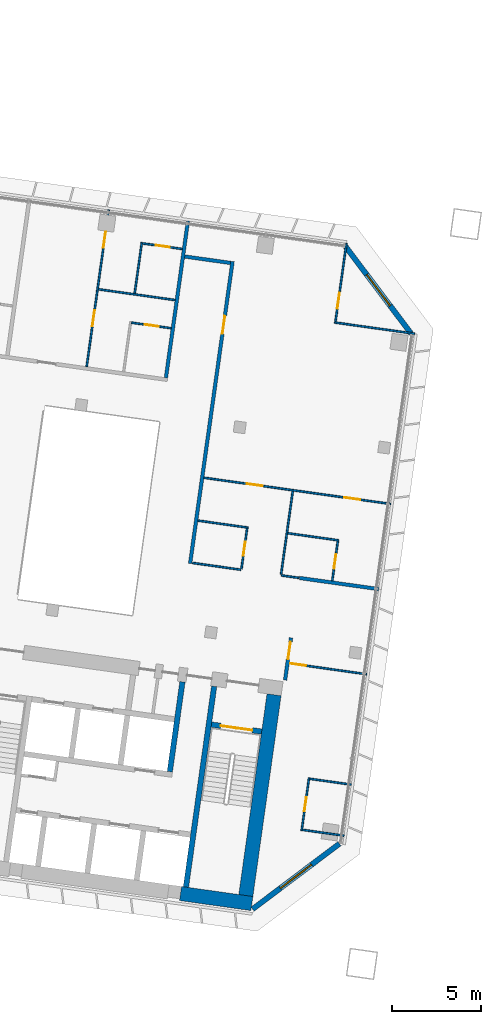
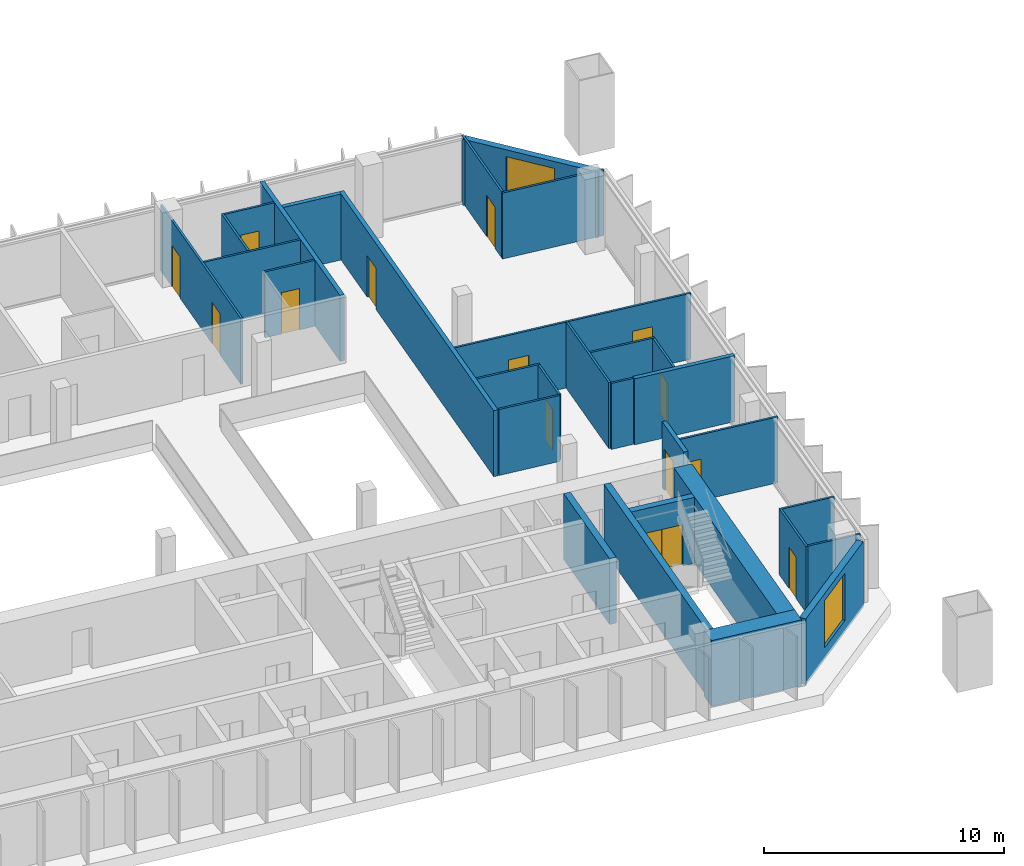
# One storey, part 17 of 25: 31 walls, 14 doors, 2 windows, 16 openings.
"""IFC4 building model written with IfcOpenShell, lengths in metres."""

from ifc_helpers import new_model, si_unit, direction, frame, frame_2d, origin, place, context, subcontext, project, spatial, rectangle, extrude, material, layer, layer_set, type_object, element, fill, save


model = new_model("IFC4")

# Units and contexts
model_context = context("Model", 3, precision=1e-05, world=origin(), true_north=direction((0.0, 1.0)))
body_context = subcontext(model_context, "Body", "Model", "MODEL_VIEW")
ifc_project = project(units=[si_unit("LENGTHUNIT", "METRE"), si_unit("AREAUNIT", "SQUARE_METRE"), si_unit("VOLUMEUNIT", "CUBIC_METRE"), si_unit("PLANEANGLEUNIT", "RADIAN"), si_unit("MASSUNIT", "GRAM", prefix="KILO")], contexts=[model_context])

# Site, building, storey
site_placement = place(None, origin())
site = spatial("IfcSite", under=ifc_project, at=site_placement, CompositionType="ELEMENT")
building_placement = place(site_placement, origin())
building = spatial("IfcBuilding", under=site, at=building_placement, Name="Mirante Cascada Hotel Towers", CompositionType="ELEMENT")
storey_placement = place(building_placement, frame((0.0, 0.0, 102.5)))
storey = spatial("IfcBuildingStorey", under=building, at=storey_placement, Name="L22", CompositionType="ELEMENT", Elevation=102.5)

# Walls
ifc_material_1 = material(Name="Fire-rated plasterboard on metal studs")
ifc_layer_1 = layer(ifc_material_1, 0.2)
ifc_layer_set_1 = layer_set([ifc_layer_1], Name="Compartment wall 200 EI 120")
wall_type_1 = type_object("IfcWallType", Name="Compartment wall 200 EI 120", PredefinedType="PARTITIONING", material=ifc_layer_set_1)
wall_1_placement = place(storey_placement, frame((-34.4562, -1.3737, 0.0), z_axis=(0.0, 0.0, 1.0), x_axis=(0.9902674, -0.1391779, 0.0)))
element("IfcWall", 1, at=wall_1_placement, inside=storey, type_object=wall_type_1, Name="Wall 1-L22-08", PredefinedType="PARTITIONING", context=body_context, shape_type="SweptSolid", body=[
    extrude(rectangle(XDim=4.5, YDim=0.2, at=frame_2d((2.25, 0.0))), origin(), (0.0, 0.0, 1.0), 3.35),
])
wall_2_placement = place(storey_placement, frame((-40.9036, 16.6995, 0.0), z_axis=(0.0, 0.0, 1.0), x_axis=(0.9902647, -0.1391971, 0.0)))
element("IfcWall", 2, at=wall_2_placement, inside=storey, type_object=wall_type_1, Name="Wall 1-L22-28", PredefinedType="PARTITIONING", context=body_context, shape_type="SweptSolid", body=[
    extrude(rectangle(XDim=2.5999, YDim=0.2, at=frame_2d((1.3, 0.0))), origin(), (0.0, 0.0, 1.0), 3.35),
])

# Wall, opening, door
wall_3_placement = place(storey_placement, frame((-34.9294, -4.7406, 0.0), z_axis=(0.0, 0.0, 1.0), x_axis=(-0.1391635, -0.9902694, 0.0)))
wall_3 = element("IfcWall", 3, at=wall_3_placement, inside=storey, type_object=wall_type_1, Name="Wall 1-L22-34", PredefinedType="PARTITIONING", context=body_context, shape_type="SweptSolid", body=[
    extrude(rectangle(XDim=2.4001, YDim=0.2, at=frame_2d((1.2, 0.0))), origin(), (0.0, 0.0, 1.0), 3.35),
])
opening_1_placement = place(wall_3_placement, frame((0.2167, 0.0, 0.0)))
opening_1 = element("IfcOpeningElement", 4, at=opening_1_placement, cuts=wall_3, Name="Opening D1-L22-28", PredefinedType="OPENING", context=body_context, shape_type="SweptSolid", body=[
    extrude(rectangle(XDim=1.0, YDim=2.1, at=frame_2d((0.5, 1.05))), frame((0.0, 0.1, 0.0), z_axis=(0.0, -1.0, 0.0), x_axis=(1.0, 0.0, 0.0)), (0.0, 0.0, 1.0), 0.2),
])
ifc_material_2 = material(Name="Fire-rated timber door leaf", Category="wood")
door_type_1 = type_object("IfcDoorType", Name="Entrance door DG1 1000x2100 EI 60", OperationType="SINGLE_SWING_LEFT", PredefinedType="DOOR", material=ifc_material_2)
door_1_placement = place(opening_1_placement, origin())
door_1 = element("IfcDoor", 5, at=door_1_placement, inside=storey, type_object=door_type_1, Name="Door D1-L22-28", OperationType="SINGLE_SWING_LEFT", OverallHeight=2.1, OverallWidth=1.0, PredefinedType="DOOR", context=body_context, shape_type="SweptSolid", body=[
    extrude(rectangle(XDim=1.0, YDim=2.1, at=frame_2d((0.5, 1.05))), frame((0.0, 0.025, 0.0), z_axis=(0.0, -1.0, 0.0), x_axis=(1.0, 0.0, 0.0)), (0.0, 0.0, 1.0), 0.05),
])
fill(opening_1, door_1)

wall_4_placement = place(storey_placement, frame((-38.216, 16.4227, 0.0), z_axis=(0.0, 0.0, 1.0), x_axis=(-0.139172, -0.9902682, 0.0)))
wall_4 = element("IfcWall", 6, at=wall_4_placement, inside=storey, type_object=wall_type_1, Name="Wall 1-L22-38", PredefinedType="PARTITIONING", context=body_context, shape_type="SweptSolid", body=[
    extrude(rectangle(XDim=17.15, YDim=0.2, at=frame_2d((8.575, 0.0))), origin(), (0.0, 0.0, 1.0), 3.35),
])
opening_2_placement = place(wall_4_placement, frame((3.1, 0.0, 0.0)))
opening_2 = element("IfcOpeningElement", 7, at=opening_2_placement, cuts=wall_4, Name="Opening D1-L22-31", PredefinedType="OPENING", context=body_context, shape_type="SweptSolid", body=[
    extrude(rectangle(XDim=1.0, YDim=2.1, at=frame_2d((0.5, 1.05))), frame((0.0, 0.1, 0.0), z_axis=(0.0, -1.0, 0.0), x_axis=(1.0, 0.0, 0.0)), (0.0, 0.0, 1.0), 0.2),
])
door_2_placement = place(opening_2_placement, origin())
door_2 = element("IfcDoor", 8, at=door_2_placement, inside=storey, type_object=door_type_1, Name="Door D1-L22-31", OperationType="SINGLE_SWING_LEFT", OverallHeight=2.1, OverallWidth=1.0, PredefinedType="DOOR", context=body_context, shape_type="SweptSolid", body=[
    extrude(rectangle(XDim=1.0, YDim=2.1, at=frame_2d((0.5, 1.05))), frame((0.0, 0.025, 0.0), z_axis=(0.0, -1.0, 0.0), x_axis=(1.0, 0.0, 0.0)), (0.0, 0.0, 1.0), 0.05),
])
fill(opening_2, door_2)

# Walls
wall_5_placement = place(storey_placement, frame((-41.963, 9.8805, 0.0), z_axis=(0.0, 0.0, 1.0), x_axis=(0.1391794, 0.9902672, 0.0)))
element("IfcWall", 9, at=wall_5_placement, inside=storey, type_object=wall_type_1, Name="Wall 1-L22-39", PredefinedType="PARTITIONING", context=body_context, shape_type="SweptSolid", body=[
    extrude(rectangle(XDim=8.9, YDim=0.2, at=frame_2d((4.45, 0.0))), origin(), (0.0, 0.0, 1.0), 3.35),
])
ifc_material_3 = material(Name="Plasterboard on metal studs")
ifc_layer_2 = layer(ifc_material_3, 0.1)
ifc_layer_set_2 = layer_set([ifc_layer_2], Name="Partition 100")
wall_type_2 = type_object("IfcWallType", Name="Partition 100", PredefinedType="PARTITIONING", material=ifc_layer_set_2)
for number, where, z_axis, x_axis, name in (
    (10, (-34.2756, -15.5367, 0.0), (0.0, 0.0, 1.0), (0.9902661, -0.139187, 0.0), "Wall 1-L22-02"),
    (11, (-31.5448, -12.992, 0.0), (0.0, 0.0, 1.0), (-0.9902661, 0.139187, 0.0), "Wall 1-L22-03"),
):
    element("IfcWall", number, at=place(storey_placement, frame(where, z_axis=z_axis, x_axis=x_axis)), inside=storey, type_object=wall_type_2, Name=name, PredefinedType="PARTITIONING", context=body_context, shape_type="SweptSolid", body=[
        extrude(rectangle(XDim=2.3501, YDim=0.1, at=frame_2d((1.175, 0.0))), origin(), (0.0, 0.0, 1.0), 3.35),
    ])

# Wall, opening, door
wall_6_placement = place(storey_placement, frame((-35.0298, -6.1739, 0.0), z_axis=(0.0, 0.0, 1.0), x_axis=(0.9902665, -0.1391841, 0.0)))
wall_6 = element("IfcWall", 12, at=wall_6_placement, inside=storey, type_object=wall_type_2, Name="Wall 1-L22-04", PredefinedType="PARTITIONING", context=body_context, shape_type="SweptSolid", body=[
    extrude(rectangle(XDim=4.3999, YDim=0.1, at=frame_2d((2.2, 0.0))), origin(), (0.0, 0.0, 1.0), 3.35),
])
opening_3_placement = place(wall_6_placement, frame((0.05, 0.0, 0.0)))
opening_3 = element("IfcOpeningElement", 13, at=opening_3_placement, cuts=wall_6, Name="Opening D1-L22-02", PredefinedType="OPENING", context=body_context, shape_type="SweptSolid", body=[
    extrude(rectangle(XDim=0.9, YDim=2.1, at=frame_2d((0.45, 1.05))), frame((0.0, 0.05, 0.0), z_axis=(0.0, -1.0, 0.0), x_axis=(1.0, 0.0, 0.0)), (0.0, 0.0, 1.0), 0.1),
])
ifc_material_4 = material(Name="Timber door leaf", Category="wood")
door_type_2 = type_object("IfcDoorType", Name="Room door DG3 900x2100", OperationType="SINGLE_SWING_LEFT", PredefinedType="DOOR", material=ifc_material_4)
door_3_placement = place(opening_3_placement, frame((0.9, 0.0, 0.0), z_axis=(0.0, 0.0, 1.0), x_axis=(-1.0, 0.0, 0.0)))
door_3 = element("IfcDoor", 14, at=door_3_placement, inside=storey, type_object=door_type_2, Name="Door D1-L22-02", OperationType="SINGLE_SWING_RIGHT", OverallHeight=2.1, OverallWidth=0.9, PredefinedType="DOOR", context=body_context, shape_type="SweptSolid", body=[
    extrude(rectangle(XDim=0.9, YDim=2.1, at=frame_2d((0.45, 1.05))), frame((0.0, 0.025, 0.0), z_axis=(0.0, -1.0, 0.0), x_axis=(1.0, 0.0, 0.0)), (0.0, 0.0, 1.0), 0.05),
])
fill(opening_3, door_3)

# Walls
wall_7_placement = place(storey_placement, frame((-34.4859, -1.3695, 0.0), z_axis=(0.0, 0.0, 1.0), x_axis=(-0.9902801, 0.1390877, 0.0)))
element("IfcWall", 15, at=wall_7_placement, inside=storey, type_object=wall_type_2, Name="Wall 1-L22-09", PredefinedType="PARTITIONING", context=body_context, shape_type="SweptSolid", body=[
    extrude(rectangle(XDim=0.99, YDim=0.1, at=frame_2d((0.495, 0.0))), origin(), (0.0, 0.0, 1.0), 3.35),
])
wall_8_placement = place(storey_placement, frame((-40.4671, -0.5289, 0.0), z_axis=(0.0, 0.0, 1.0), x_axis=(0.9902645, -0.1391984, 0.0)))
element("IfcWall", 16, at=wall_8_placement, inside=storey, type_object=wall_type_2, Name="Wall 1-L22-10", PredefinedType="PARTITIONING", context=body_context, shape_type="SweptSolid", body=[
    extrude(rectangle(XDim=2.74, YDim=0.1, at=frame_2d((1.37, 0.0))), origin(), (0.0, 0.0, 1.0), 3.35),
])
wall_9_placement = place(storey_placement, frame((-35.1125, 1.1421, 0.0), z_axis=(0.0, 0.0, 1.0), x_axis=(0.9902683, -0.1391714, 0.0)))
element("IfcWall", 17, at=wall_9_placement, inside=storey, type_object=wall_type_2, Name="Wall 1-L22-12", PredefinedType="PARTITIONING", context=body_context, shape_type="SweptSolid", body=[
    extrude(rectangle(XDim=2.9, YDim=0.1, at=frame_2d((1.45, 0.0))), origin(), (0.0, 0.0, 1.0), 3.35),
])
wall_10_placement = place(storey_placement, frame((-37.3406, 1.4552, 0.0), z_axis=(0.0, 0.0, 1.0), x_axis=(-0.9902649, 0.1391957, 0.0)))
element("IfcWall", 18, at=wall_10_placement, inside=storey, type_object=wall_type_2, Name="Wall 1-L22-13", PredefinedType="PARTITIONING", context=body_context, shape_type="SweptSolid", body=[
    extrude(rectangle(XDim=2.8499, YDim=0.1, at=frame_2d((1.425, 0.0))), origin(), (0.0, 0.0, 1.0), 3.35),
])

# Wall, openings, doors
wall_11_placement = place(storey_placement, frame((-39.8242, 4.2615, 0.0), z_axis=(0.0, 0.0, 1.0), x_axis=(0.9902686, -0.1391691, 0.0)))
wall_11 = element("IfcWall", 19, at=wall_11_placement, inside=storey, type_object=wall_type_2, Name="Wall 1-L22-16", PredefinedType="PARTITIONING", context=body_context, shape_type="SweptSolid", body=[
    extrude(rectangle(XDim=10.6001, YDim=0.1, at=frame_2d((5.3, 0.0))), origin(), (0.0, 0.0, 1.0), 3.35),
])
opening_4_placement = place(wall_11_placement, frame((7.975, 0.0, 0.0)))
opening_4 = element("IfcOpeningElement", 20, at=opening_4_placement, cuts=wall_11, Name="Opening D1-L22-05", PredefinedType="OPENING", context=body_context, shape_type="SweptSolid", body=[
    extrude(rectangle(XDim=0.9, YDim=2.1, at=frame_2d((0.45, 1.05))), frame((0.0, 0.05, 0.0), z_axis=(0.0, -1.0, 0.0), x_axis=(1.0, 0.0, 0.0)), (0.0, 0.0, 1.0), 0.1),
])
opening_5_placement = place(wall_11_placement, frame((2.425, 0.0, 0.0)))
opening_5 = element("IfcOpeningElement", 21, at=opening_5_placement, cuts=wall_11, Name="Opening D1-L22-06", PredefinedType="OPENING", context=body_context, shape_type="SweptSolid", body=[
    extrude(rectangle(XDim=0.9, YDim=2.1, at=frame_2d((0.45, 1.05))), frame((0.0, 0.05, 0.0), z_axis=(0.0, -1.0, 0.0), x_axis=(1.0, 0.0, 0.0)), (0.0, 0.0, 1.0), 0.1),
])
door_4_placement = place(opening_4_placement, origin())
door_4 = element("IfcDoor", 22, at=door_4_placement, inside=storey, type_object=door_type_2, Name="Door D1-L22-05", OperationType="SINGLE_SWING_LEFT", OverallHeight=2.1, OverallWidth=0.9, PredefinedType="DOOR", context=body_context, shape_type="SweptSolid", body=[
    extrude(rectangle(XDim=0.9, YDim=2.1, at=frame_2d((0.45, 1.05))), frame((0.0, 0.025, 0.0), z_axis=(0.0, -1.0, 0.0), x_axis=(1.0, 0.0, 0.0)), (0.0, 0.0, 1.0), 0.05),
])
fill(opening_4, door_4)
door_5_placement = place(opening_5_placement, origin())
door_5 = element("IfcDoor", 23, at=door_5_placement, inside=storey, type_object=door_type_2, Name="Door D1-L22-06", OperationType="SINGLE_SWING_LEFT", OverallHeight=2.1, OverallWidth=0.9, PredefinedType="DOOR", context=body_context, shape_type="SweptSolid", body=[
    extrude(rectangle(XDim=0.9, YDim=2.1, at=frame_2d((0.45, 1.05))), frame((0.0, 0.025, 0.0), z_axis=(0.0, -1.0, 0.0), x_axis=(1.0, 0.0, 0.0)), (0.0, 0.0, 1.0), 0.05),
])
fill(opening_5, door_5)

# Wall, opening, door
wall_12_placement = place(storey_placement, frame((-41.6723, 12.6672, 0.0), z_axis=(0.0, 0.0, 1.0), x_axis=(-0.9902643, 0.1391997, 0.0)))
wall_12 = element("IfcWall", 24, at=wall_12_placement, inside=storey, type_object=wall_type_2, Name="Wall 1-L22-19", PredefinedType="PARTITIONING", context=body_context, shape_type="SweptSolid", body=[
    extrude(rectangle(XDim=2.25, YDim=0.1, at=frame_2d((1.125, 0.0))), origin(), (0.0, 0.0, 1.0), 3.35),
])
opening_6_placement = place(wall_12_placement, frame((0.7, 0.0, 0.0)))
opening_6 = element("IfcOpeningElement", 25, at=opening_6_placement, cuts=wall_12, Name="Opening D1-L22-16", PredefinedType="OPENING", context=body_context, shape_type="SweptSolid", body=[
    extrude(rectangle(XDim=0.8, YDim=2.1, at=frame_2d((0.4, 1.05))), frame((0.0, 0.05, 0.0), z_axis=(0.0, -1.0, 0.0), x_axis=(1.0, 0.0, 0.0)), (0.0, 0.0, 1.0), 0.1),
])
ifc_material_5 = material(Name="Timber door leaf", Category="wood")
door_type_3 = type_object("IfcDoorType", Name="Bathroom door DG4 800x2100", OperationType="SINGLE_SWING_LEFT", PredefinedType="DOOR", material=ifc_material_5)
door_6_placement = place(opening_6_placement, origin())
door_6 = element("IfcDoor", 26, at=door_6_placement, inside=storey, type_object=door_type_3, Name="Door D1-L22-16", OperationType="SINGLE_SWING_LEFT", OverallHeight=2.1, OverallWidth=0.8, PredefinedType="DOOR", context=body_context, shape_type="SweptSolid", body=[
    extrude(rectangle(XDim=0.8, YDim=2.1, at=frame_2d((0.4, 1.05))), frame((0.0, 0.025, 0.0), z_axis=(0.0, -1.0, 0.0), x_axis=(1.0, 0.0, 0.0)), (0.0, 0.0, 1.0), 0.05),
])
fill(opening_6, door_6)

# Walls
wall_13_placement = place(storey_placement, frame((-27.982, 12.3589, 0.0), z_axis=(0.0, 0.0, 1.0), x_axis=(-0.9902691, 0.1391656, 0.0)))
element("IfcWall", 27, at=wall_13_placement, inside=storey, type_object=wall_type_2, Name="Wall 1-L22-25", PredefinedType="PARTITIONING", context=body_context, shape_type="SweptSolid", body=[
    extrude(rectangle(XDim=4.55, YDim=0.1, at=frame_2d((2.275, 0.0))), origin(), (0.0, 0.0, 1.0), 3.35),
])
wall_14_placement = place(storey_placement, frame((-45.7573, 14.857, 0.0), z_axis=(0.0, 0.0, 1.0), x_axis=(0.9902683, -0.1391714, 0.0)))
element("IfcWall", 28, at=wall_14_placement, inside=storey, type_object=wall_type_2, Name="Wall 1-L22-26", PredefinedType="PARTITIONING", context=body_context, shape_type="SweptSolid", body=[
    extrude(rectangle(XDim=4.35, YDim=0.1, at=frame_2d((2.175, 0.0))), origin(), (0.0, 0.0, 1.0), 3.35),
])

# Wall, opening, door
wall_15_placement = place(storey_placement, frame((-43.2741, 17.4366, 0.0), z_axis=(0.0, 0.0, 1.0), x_axis=(0.9902643, -0.1391997, 0.0)))
wall_15 = element("IfcWall", 29, at=wall_15_placement, inside=storey, type_object=wall_type_2, Name="Wall 1-L22-30", PredefinedType="PARTITIONING", context=body_context, shape_type="SweptSolid", body=[
    extrude(rectangle(XDim=2.25, YDim=0.1, at=frame_2d((1.125, 0.0))), origin(), (0.0, 0.0, 1.0), 3.35),
])
opening_7_placement = place(wall_15_placement, frame((0.75, 0.0, 0.0)))
opening_7 = element("IfcOpeningElement", 30, at=opening_7_placement, cuts=wall_15, Name="Opening D1-L22-24", PredefinedType="OPENING", context=body_context, shape_type="SweptSolid", body=[
    extrude(rectangle(XDim=0.8, YDim=2.1, at=frame_2d((0.4, 1.05))), frame((0.0, 0.05, 0.0), z_axis=(0.0, -1.0, 0.0), x_axis=(1.0, 0.0, 0.0)), (0.0, 0.0, 1.0), 0.1),
])
door_7_placement = place(opening_7_placement, frame((0.8, 0.0, 0.0), z_axis=(0.0, 0.0, 1.0), x_axis=(-1.0, 0.0, 0.0)))
door_7 = element("IfcDoor", 31, at=door_7_placement, inside=storey, type_object=door_type_3, Name="Door D1-L22-24", OperationType="SINGLE_SWING_RIGHT", OverallHeight=2.1, OverallWidth=0.8, PredefinedType="DOOR", context=body_context, shape_type="SweptSolid", body=[
    extrude(rectangle(XDim=0.8, YDim=2.1, at=frame_2d((0.4, 1.05))), frame((0.0, 0.025, 0.0), z_axis=(0.0, -1.0, 0.0), x_axis=(1.0, 0.0, 0.0)), (0.0, 0.0, 1.0), 0.05),
])
fill(opening_7, door_7)

wall_16_placement = place(storey_placement, frame((-33.9145, -12.6084, 0.0), z_axis=(0.0, 0.0, 1.0), x_axis=(-0.1391624, -0.9902696, 0.0)))
wall_16 = element("IfcWall", 32, at=wall_16_placement, inside=storey, type_object=wall_type_2, Name="Wall 1-L22-32", PredefinedType="PARTITIONING", context=body_context, shape_type="SweptSolid", body=[
    extrude(rectangle(XDim=3.0001, YDim=0.1, at=frame_2d((1.5001, 0.0))), origin(), (0.0, 0.0, 1.0), 3.35),
])
opening_8_placement = place(wall_16_placement, frame((1.1, 0.0, 0.0)))
opening_8 = element("IfcOpeningElement", 33, at=opening_8_placement, cuts=wall_16, Name="Opening D1-L22-26", PredefinedType="OPENING", context=body_context, shape_type="SweptSolid", body=[
    extrude(rectangle(XDim=0.8, YDim=2.1, at=frame_2d((0.4, 1.05))), frame((0.0, 0.05, 0.0), z_axis=(0.0, -1.0, 0.0), x_axis=(1.0, 0.0, 0.0)), (0.0, 0.0, 1.0), 0.1),
])
door_8_placement = place(opening_8_placement, frame((0.8, 0.0, 0.0), z_axis=(0.0, 0.0, 1.0), x_axis=(-1.0, 0.0, 0.0)))
door_8 = element("IfcDoor", 34, at=door_8_placement, inside=storey, type_object=door_type_3, Name="Door D1-L22-26", OperationType="SINGLE_SWING_RIGHT", OverallHeight=2.1, OverallWidth=0.8, PredefinedType="DOOR", context=body_context, shape_type="SweptSolid", body=[
    extrude(rectangle(XDim=0.8, YDim=2.1, at=frame_2d((0.4, 1.05))), frame((0.0, 0.025, 0.0), z_axis=(0.0, -1.0, 0.0), x_axis=(1.0, 0.0, 0.0)), (0.0, 0.0, 1.0), 0.05),
])
fill(opening_8, door_8)

wall_17_placement = place(storey_placement, frame((-32.6103, -1.5322, 0.0), z_axis=(0.0, 0.0, 1.0), x_axis=(0.1391561, 0.9902705, 0.0)))
wall_17 = element("IfcWall", 35, at=wall_17_placement, inside=storey, type_object=wall_type_2, Name="Wall 1-L22-33", PredefinedType="PARTITIONING", context=body_context, shape_type="SweptSolid", body=[
    extrude(rectangle(XDim=2.25, YDim=0.1, at=frame_2d((1.125, 0.0))), origin(), (0.0, 0.0, 1.0), 3.35),
])
opening_9_placement = place(wall_17_placement, frame((0.7, 0.0, 0.0)))
opening_9 = element("IfcOpeningElement", 36, at=opening_9_placement, cuts=wall_17, Name="Opening D1-L22-27", PredefinedType="OPENING", context=body_context, shape_type="SweptSolid", body=[
    extrude(rectangle(XDim=0.8, YDim=2.1, at=frame_2d((0.4, 1.05))), frame((0.0, 0.05, 0.0), z_axis=(0.0, -1.0, 0.0), x_axis=(1.0, 0.0, 0.0)), (0.0, 0.0, 1.0), 0.1),
])
door_9_placement = place(opening_9_placement, origin())
door_9 = element("IfcDoor", 37, at=door_9_placement, inside=storey, type_object=door_type_3, Name="Door D1-L22-27", OperationType="SINGLE_SWING_LEFT", OverallHeight=2.1, OverallWidth=0.8, PredefinedType="DOOR", context=body_context, shape_type="SweptSolid", body=[
    extrude(rectangle(XDim=0.8, YDim=2.1, at=frame_2d((0.4, 1.05))), frame((0.0, 0.025, 0.0), z_axis=(0.0, -1.0, 0.0), x_axis=(1.0, 0.0, 0.0)), (0.0, 0.0, 1.0), 0.05),
])
fill(opening_9, door_9)

wall_18_placement = place(storey_placement, frame((-32.4312, 13.0347, 0.0), z_axis=(0.0, 0.0, 1.0), x_axis=(0.1391684, 0.9902687, 0.0)))
wall_18 = element("IfcWall", 38, at=wall_18_placement, inside=storey, type_object=wall_type_2, Name="Wall 1-L22-35", PredefinedType="PARTITIONING", context=body_context, shape_type="SweptSolid", body=[
    extrude(rectangle(XDim=4.45, YDim=0.1, at=frame_2d((2.225, 0.0))), origin(), (0.0, 0.0, 1.0), 3.35),
])
opening_10_placement = place(wall_18_placement, frame((0.75, 0.0, 0.0)))
opening_10 = element("IfcOpeningElement", 39, at=opening_10_placement, cuts=wall_18, Name="Opening D1-L22-29", PredefinedType="OPENING", context=body_context, shape_type="SweptSolid", body=[
    extrude(rectangle(XDim=0.9, YDim=2.1, at=frame_2d((0.45, 1.05))), frame((0.0, 0.05, 0.0), z_axis=(0.0, -1.0, 0.0), x_axis=(1.0, 0.0, 0.0)), (0.0, 0.0, 1.0), 0.1),
])
door_10_placement = place(opening_10_placement, origin())
door_10 = element("IfcDoor", 40, at=door_10_placement, inside=storey, type_object=door_type_2, Name="Door D1-L22-29", OperationType="SINGLE_SWING_LEFT", OverallHeight=2.1, OverallWidth=0.9, PredefinedType="DOOR", context=body_context, shape_type="SweptSolid", body=[
    extrude(rectangle(XDim=0.9, YDim=2.1, at=frame_2d((0.45, 1.05))), frame((0.0, 0.025, 0.0), z_axis=(0.0, -1.0, 0.0), x_axis=(1.0, 0.0, 0.0)), (0.0, 0.0, 1.0), 0.05),
])
fill(opening_10, door_10)

# Wall
wall_19_placement = place(storey_placement, frame((-34.8303, 3.5092, 0.0), z_axis=(0.0, 0.0, 1.0), x_axis=(-0.1391613, -0.9902697, 0.0)))
element("IfcWall", 41, at=wall_19_placement, inside=storey, type_object=wall_type_2, Name="Wall 1-L22-36", PredefinedType="PARTITIONING", context=body_context, shape_type="SweptSolid", body=[
    extrude(rectangle(XDim=4.7334, YDim=0.1, at=frame_2d((2.3667, 0.0))), origin(), (0.0, 0.0, 1.0), 3.35),
])

# Wall, opening, door
wall_20_placement = place(storey_placement, frame((-37.7171, -0.8649, 0.0), z_axis=(0.0, 0.0, 1.0), x_axis=(0.1391749, 0.9902678, 0.0)))
wall_20 = element("IfcWall", 42, at=wall_20_placement, inside=storey, type_object=wall_type_2, Name="Wall 1-L22-37", PredefinedType="PARTITIONING", context=body_context, shape_type="SweptSolid", body=[
    extrude(rectangle(XDim=2.3, YDim=0.1, at=frame_2d((1.15, 0.0))), origin(), (0.0, 0.0, 1.0), 3.35),
])
opening_11_placement = place(wall_20_placement, frame((0.75, 0.0, 0.0)))
opening_11 = element("IfcOpeningElement", 43, at=opening_11_placement, cuts=wall_20, Name="Opening D1-L22-30", PredefinedType="OPENING", context=body_context, shape_type="SweptSolid", body=[
    extrude(rectangle(XDim=0.8, YDim=2.1, at=frame_2d((0.4, 1.05))), frame((0.0, 0.05, 0.0), z_axis=(0.0, -1.0, 0.0), x_axis=(1.0, 0.0, 0.0)), (0.0, 0.0, 1.0), 0.1),
])
door_11_placement = place(opening_11_placement, origin())
door_11 = element("IfcDoor", 44, at=door_11_placement, inside=storey, type_object=door_type_3, Name="Door D1-L22-30", OperationType="SINGLE_SWING_LEFT", OverallHeight=2.1, OverallWidth=0.8, PredefinedType="DOOR", context=body_context, shape_type="SweptSolid", body=[
    extrude(rectangle(XDim=0.8, YDim=2.1, at=frame_2d((0.4, 1.05))), frame((0.0, 0.025, 0.0), z_axis=(0.0, -1.0, 0.0), x_axis=(1.0, 0.0, 0.0)), (0.0, 0.0, 1.0), 0.05),
])
fill(opening_11, door_11)

# Wall
wall_21_placement = place(storey_placement, frame((-43.7203, 14.6213, 0.0), z_axis=(0.0, 0.0, 1.0), x_axis=(0.1391761, 0.9902676, 0.0)))
element("IfcWall", 45, at=wall_21_placement, inside=storey, type_object=wall_type_2, Name="Wall 1-L22-41", PredefinedType="PARTITIONING", context=body_context, shape_type="SweptSolid", body=[
    extrude(rectangle(XDim=2.8999, YDim=0.1, at=frame_2d((1.45, 0.0))), origin(), (0.0, 0.0, 1.0), 3.35),
])

# Wall, openings, doors
wall_22_placement = place(storey_placement, frame((-45.1805, 19.3202, 0.0), z_axis=(0.0, 0.0, 1.0), x_axis=(-0.1391794, -0.9902672, 0.0)))
wall_22 = element("IfcWall", 46, at=wall_22_placement, inside=storey, type_object=wall_type_2, Name="Wall 1-L22-42", PredefinedType="PARTITIONING", context=body_context, shape_type="SweptSolid", body=[
    extrude(rectangle(XDim=8.9, YDim=0.1, at=frame_2d((4.45, 0.0))), origin(), (0.0, 0.0, 1.0), 3.35),
])
opening_12_placement = place(wall_22_placement, frame((5.7, 0.0, 0.0)))
opening_12 = element("IfcOpeningElement", 47, at=opening_12_placement, cuts=wall_22, Name="Opening D1-L22-32", PredefinedType="OPENING", context=body_context, shape_type="SweptSolid", body=[
    extrude(rectangle(XDim=0.9, YDim=2.1, at=frame_2d((0.45, 1.05))), frame((0.0, 0.05, 0.0), z_axis=(0.0, -1.0, 0.0), x_axis=(1.0, 0.0, 0.0)), (0.0, 0.0, 1.0), 0.1),
])
opening_13_placement = place(wall_22_placement, frame((1.25, 0.0, 0.0)))
opening_13 = element("IfcOpeningElement", 48, at=opening_13_placement, cuts=wall_22, Name="Opening D1-L22-33", PredefinedType="OPENING", context=body_context, shape_type="SweptSolid", body=[
    extrude(rectangle(XDim=0.9, YDim=2.1, at=frame_2d((0.45, 1.05))), frame((0.0, 0.05, 0.0), z_axis=(0.0, -1.0, 0.0), x_axis=(1.0, 0.0, 0.0)), (0.0, 0.0, 1.0), 0.1),
])
door_12_placement = place(opening_12_placement, frame((0.9, 0.0, 0.0), z_axis=(0.0, 0.0, 1.0), x_axis=(-1.0, 0.0, 0.0)))
door_12 = element("IfcDoor", 49, at=door_12_placement, inside=storey, type_object=door_type_2, Name="Door D1-L22-32", OperationType="SINGLE_SWING_RIGHT", OverallHeight=2.1, OverallWidth=0.9, PredefinedType="DOOR", context=body_context, shape_type="SweptSolid", body=[
    extrude(rectangle(XDim=0.9, YDim=2.1, at=frame_2d((0.45, 1.05))), frame((0.0, 0.025, 0.0), z_axis=(0.0, -1.0, 0.0), x_axis=(1.0, 0.0, 0.0)), (0.0, 0.0, 1.0), 0.05),
])
fill(opening_12, door_12)
door_13_placement = place(opening_13_placement, frame((0.9, 0.0, 0.0), z_axis=(0.0, 0.0, 1.0), x_axis=(-1.0, 0.0, 0.0)))
door_13 = element("IfcDoor", 50, at=door_13_placement, inside=storey, type_object=door_type_2, Name="Door D1-L22-33", OperationType="SINGLE_SWING_RIGHT", OverallHeight=2.1, OverallWidth=0.9, PredefinedType="DOOR", context=body_context, shape_type="SweptSolid", body=[
    extrude(rectangle(XDim=0.9, YDim=2.1, at=frame_2d((0.45, 1.05))), frame((0.0, 0.025, 0.0), z_axis=(0.0, -1.0, 0.0), x_axis=(1.0, 0.0, 0.0)), (0.0, 0.0, 1.0), 0.05),
])
fill(opening_13, door_13)

# Wall, opening, window
ifc_material_6 = material(Name="Precast concrete C40/50", Category="concrete")
ifc_layer_3 = layer(ifc_material_6, 0.3)
ifc_layer_set_3 = layer_set([ifc_layer_3], Name="Precast concrete C40/50 cladding wall 300")
wall_type_3 = type_object("IfcWallType", Name="Precast concrete C40/50 cladding wall 300", PredefinedType="STANDARD", material=ifc_layer_set_3)
wall_23_placement = place(storey_placement, frame((-31.857, 17.252, 0.0), z_axis=(0.0, 0.0, 1.0), x_axis=(0.6018141, -0.7986362, 0.0)))
wall_23 = element("IfcWall", 51, at=wall_23_placement, inside=storey, type_object=wall_type_3, Name="Corner cladding wall T1 L22 front inner", PredefinedType="STANDARD", context=body_context, shape_type="SweptSolid", body=[
    extrude(rectangle(XDim=6.1157, YDim=0.3, at=frame_2d((3.0578, 0.0))), origin(), (0.0, 0.0, 1.0), 3.35),
])
opening_14_placement = place(wall_23_placement, frame((1.9578, 0.0, 0.6)))
opening_14 = element("IfcOpeningElement", 52, at=opening_14_placement, cuts=wall_23, Name="Opening W1-22-05", PredefinedType="OPENING", context=body_context, shape_type="SweptSolid", body=[
    extrude(rectangle(XDim=2.2, YDim=2.4, at=frame_2d((1.1, 1.2))), frame((0.0, 0.15, 0.0), z_axis=(0.0, -1.0, 0.0), x_axis=(1.0, 0.0, 0.0)), (0.0, 0.0, 1.0), 0.3),
])
ifc_material_7 = material(Name="Aluminium frame with clear double glazing", Category="aluminium")
window_type = type_object("IfcWindowType", Name="Corner suite window 2200x2400", PartitioningType="DOUBLE_PANEL_VERTICAL", PredefinedType="WINDOW", material=ifc_material_7)
window_1_placement = place(opening_14_placement, origin())
window_1 = element("IfcWindow", 53, at=window_1_placement, inside=storey, type_object=window_type, Name="Window W1-22-05", OverallHeight=2.4, OverallWidth=2.2, PartitioningType="SINGLE_PANEL", PredefinedType="WINDOW", context=body_context, shape_type="SweptSolid", body=[
    extrude(rectangle(XDim=2.2, YDim=2.4, at=frame_2d((1.1, 1.2))), frame((0.0, 0.03, 0.0), z_axis=(0.0, -1.0, 0.0), x_axis=(1.0, 0.0, 0.0)), (0.0, 0.0, 1.0), 0.06),
])
fill(opening_14, window_1)

wall_24_placement = place(storey_placement, frame((-32.2074, -16.3138, 0.0), z_axis=(0.0, 0.0, 1.0), x_axis=(-0.7986362, -0.6018141, 0.0)))
wall_24 = element("IfcWall", 54, at=wall_24_placement, inside=storey, type_object=wall_type_3, Name="Corner cladding wall T1 L22 inner rear", PredefinedType="STANDARD", context=body_context, shape_type="SweptSolid", body=[
    extrude(rectangle(XDim=6.1157, YDim=0.3, at=frame_2d((3.0578, 0.0))), origin(), (0.0, 0.0, 1.0), 3.35),
])
opening_15_placement = place(wall_24_placement, frame((1.9578, 0.0, 0.6)))
opening_15 = element("IfcOpeningElement", 55, at=opening_15_placement, cuts=wall_24, Name="Opening W1-22-06", PredefinedType="OPENING", context=body_context, shape_type="SweptSolid", body=[
    extrude(rectangle(XDim=2.2, YDim=2.4, at=frame_2d((1.1, 1.2))), frame((0.0, 0.15, 0.0), z_axis=(0.0, -1.0, 0.0), x_axis=(1.0, 0.0, 0.0)), (0.0, 0.0, 1.0), 0.3),
])
window_2_placement = place(opening_15_placement, origin())
window_2 = element("IfcWindow", 56, at=window_2_placement, inside=storey, type_object=window_type, Name="Window W1-22-06", OverallHeight=2.4, OverallWidth=2.2, PartitioningType="SINGLE_PANEL", PredefinedType="WINDOW", context=body_context, shape_type="SweptSolid", body=[
    extrude(rectangle(XDim=2.2, YDim=2.4, at=frame_2d((1.1, 1.2))), frame((0.0, 0.03, 0.0), z_axis=(0.0, -1.0, 0.0), x_axis=(1.0, 0.0, 0.0)), (0.0, 0.0, 1.0), 0.06),
])
fill(opening_15, window_2)

# Wall
ifc_material_8 = material(Name="Concrete C50/60", Category="concrete")
ifc_layer_4 = layer(ifc_material_8, 0.3)
ifc_layer_set_4 = layer_set([ifc_layer_4], Name="RC core wall 300 C50/60")
wall_type_4 = type_object("IfcWallType", Name="RC core wall 300 C50/60", PredefinedType="SHEAR", material=ifc_layer_set_4)
wall_25_placement = place(storey_placement, frame((-40.8373, -18.7548, 0.0), z_axis=(0.0, 0.0, 1.0), x_axis=(0.1391749, 0.9902678, 0.0)))
element("IfcWall", 57, at=wall_25_placement, inside=storey, type_object=wall_type_4, Name="Core wall T1:L22:5", PredefinedType="SHEAR", context=body_context, shape_type="SweptSolid", body=[
    extrude(rectangle(XDim=11.4, YDim=0.3, at=frame_2d((5.7, 0.0))), origin(), (0.0, 0.0, 1.0), 3.35),
])

# Wall, opening, door
wall_26_placement = place(storey_placement, frame((-36.5791, -10.0123, 0.0), z_axis=(0.0, 0.0, 1.0), x_axis=(-0.9902704, 0.1391564, 0.0)))
wall_26 = element("IfcWall", 58, at=wall_26_placement, inside=storey, type_object=wall_type_4, Name="Core wall T1:L22:9", PredefinedType="SHEAR", context=body_context, shape_type="SweptSolid", body=[
    extrude(rectangle(XDim=2.85, YDim=0.3, at=frame_2d((1.425, 0.0))), origin(), (0.0, 0.0, 1.0), 3.35),
])
opening_16_placement = place(wall_26_placement, frame((0.525, 0.0, 0.0)))
opening_16 = element("IfcOpeningElement", 59, at=opening_16_placement, cuts=wall_26, Name="Opening D1-22-C13", PredefinedType="OPENING", context=body_context, shape_type="SweptSolid", body=[
    extrude(rectangle(XDim=1.8, YDim=2.1, at=frame_2d((0.9, 1.05))), frame((0.0, 0.15, 0.0), z_axis=(0.0, -1.0, 0.0), x_axis=(1.0, 0.0, 0.0)), (0.0, 0.0, 1.0), 0.3),
])
ifc_material_9 = material(Name="Hollow metal fire door leaf")
door_type_4 = type_object("IfcDoorType", Name="Double fire door 1800x2100 FD60", OperationType="DOUBLE_DOOR_SINGLE_SWING", PredefinedType="DOOR", material=ifc_material_9)
door_14_placement = place(opening_16_placement, origin())
door_14 = element("IfcDoor", 60, at=door_14_placement, inside=storey, type_object=door_type_4, Name="Stair door T1 L22 13", OperationType="DOUBLE_DOOR_SINGLE_SWING", OverallHeight=2.1, OverallWidth=1.8, PredefinedType="DOOR", context=body_context, shape_type="SweptSolid", body=[
    extrude(rectangle(XDim=0.895, YDim=2.1, at=frame_2d((0.4475, 1.05))), frame((0.0, 0.025, 0.0), z_axis=(0.0, -1.0, 0.0), x_axis=(1.0, 0.0, 0.0)), (0.0, 0.0, 1.0), 0.05),
    extrude(rectangle(XDim=0.895, YDim=2.1, at=frame_2d((1.3525, 1.05))), frame((0.0, 0.025, 0.0), z_axis=(0.0, -1.0, 0.0), x_axis=(1.0, 0.0, 0.0)), (0.0, 0.0, 1.0), 0.05),
])
fill(opening_16, door_14)

# Walls
wall_27_placement = place(storey_placement, frame((-41.743, -12.2656, 0.0), z_axis=(0.0, 0.0, 1.0), x_axis=(0.1391755, 0.9902677, 0.0)))
element("IfcWall", 61, at=wall_27_placement, inside=storey, type_object=wall_type_4, Name="Core wall T1:L22:20", PredefinedType="SHEAR", context=body_context, shape_type="SweptSolid", body=[
    extrude(rectangle(XDim=5.1, YDim=0.3, at=frame_2d((2.55, 0.0))), origin(), (0.0, 0.0, 1.0), 3.35),
])
ifc_material_10 = material(Name="Concrete C50/60", Category="concrete")
ifc_layer_5 = layer(ifc_material_10, 0.8)
ifc_layer_set_5 = layer_set([ifc_layer_5], Name="RC core wall 800 C50/60")
wall_type_5 = type_object("IfcWallType", Name="RC core wall 800 C50/60", PredefinedType="SHEAR", material=ifc_layer_set_5)
wall_28_placement = place(storey_placement, frame((-37.1299, -19.6798, 0.0), z_axis=(0.0, 0.0, 1.0), x_axis=(-0.9902665, 0.1391845, 0.0)))
element("IfcWall", 62, at=wall_28_placement, inside=storey, type_object=wall_type_5, Name="Core wall T1:L22:1.1", PredefinedType="SHEAR", context=body_context, shape_type="SweptSolid", body=[
    extrude(rectangle(XDim=4.05, YDim=0.8, at=frame_2d((2.025, 0.0))), origin(), (0.0, 0.0, 1.0), 3.35),
])
wall_29_placement = place(storey_placement, frame((-37.4704, -19.228, 0.0), z_axis=(0.0, 0.0, 1.0), x_axis=(0.1391749, 0.9902678, 0.0)))
element("IfcWall", 63, at=wall_29_placement, inside=storey, type_object=wall_type_5, Name="Core wall T1:L22:3", PredefinedType="SHEAR", context=body_context, shape_type="SweptSolid", body=[
    extrude(rectangle(XDim=11.4, YDim=0.8, at=frame_2d((5.7, 0.0))), origin(), (0.0, 0.0, 1.0), 3.35),
])

save(model, "model.ifc")
